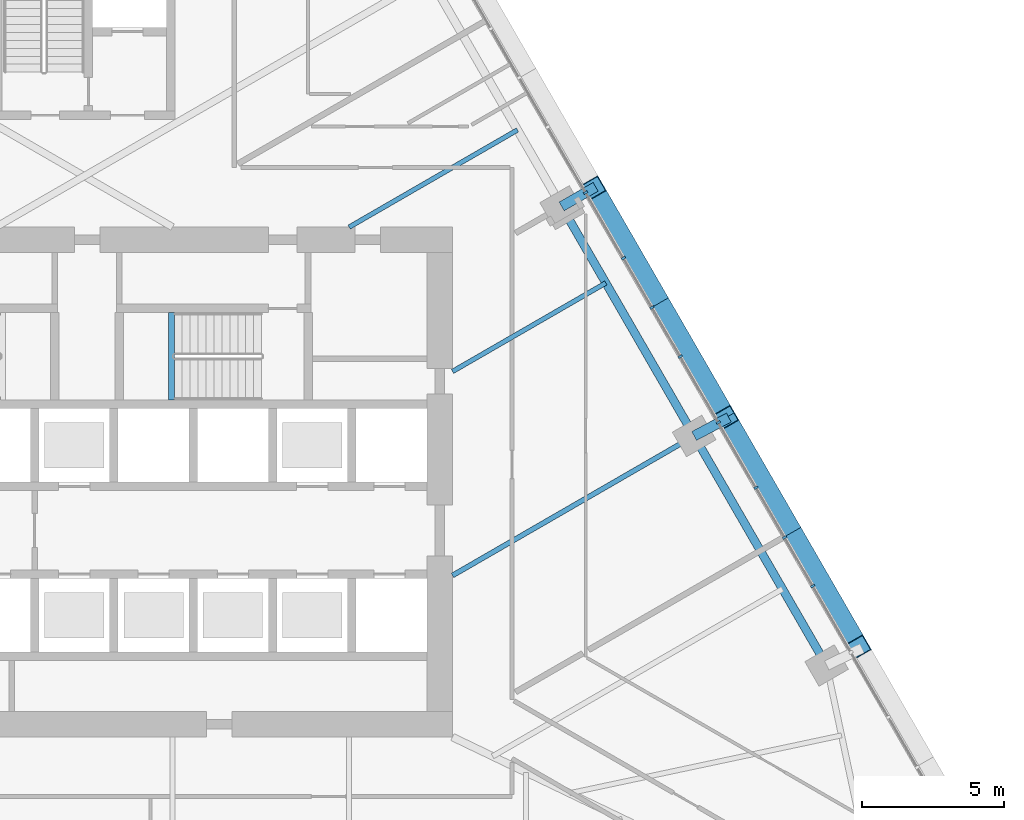
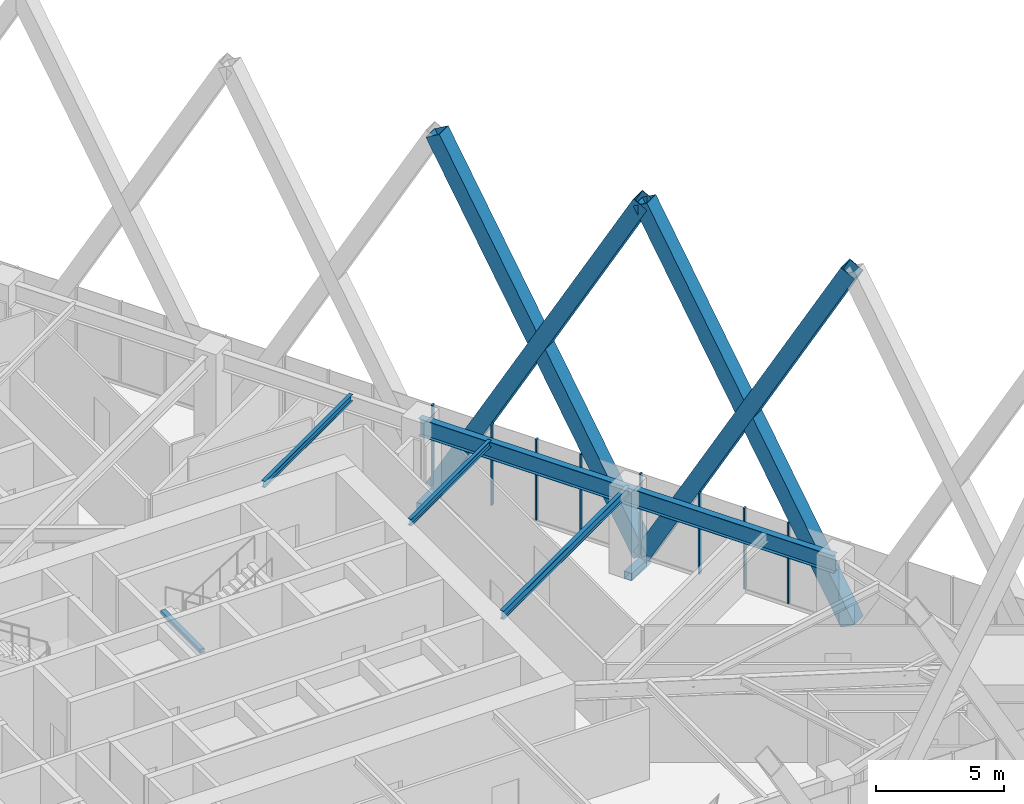
# One storey, part 8 of 21: 14 members, 5 beams, 1 element without a shape of its own.
"""IFC4 building model written with IfcOpenShell, lengths in metres."""

from ifc_helpers import new_model, si_unit, direction, frame, origin, origin_2d, place, context, subcontext, project, spatial, rectangle, hollow_rectangle, i_section, extrude, material, layer, layer_set, material_profile, profile_set, type_object, element, aggregate, save


model = new_model("IFC4")

# Units and contexts
model_context = context("Model", 3, precision=1e-05, world=origin(), true_north=direction((0.0, 1.0)))
body_context = subcontext(model_context, "Body", "Model", "MODEL_VIEW")
ifc_project = project(units=[si_unit("LENGTHUNIT", "METRE"), si_unit("AREAUNIT", "SQUARE_METRE"), si_unit("VOLUMEUNIT", "CUBIC_METRE"), si_unit("PLANEANGLEUNIT", "RADIAN"), si_unit("MASSUNIT", "GRAM", prefix="KILO")], contexts=[model_context])

# Site, building, storey
site_placement = place(None, origin())
site = spatial("IfcSite", under=ifc_project, at=site_placement, CompositionType="ELEMENT")
building_placement = place(site_placement, origin())
building = spatial("IfcBuilding", under=site, at=building_placement, Name="Firuza Gate Tower and Library", CompositionType="ELEMENT")
storey_placement = place(building_placement, frame((0.0, 0.0, 107.199951171875)))
storey = spatial("IfcBuildingStorey", under=building, at=storey_placement, Name="L24", CompositionType="ELEMENT", Elevation=107.199951171875)

# Members
ifc_material_1 = material(Name="Steel S355", Category="steel")
ifc_material_profile_1 = material_profile(ifc_material_1, hollow_rectangle(XDim=0.699951171875, YDim=0.699951171875, WallThickness=0.030029296875, at=origin_2d()))
ifc_profile_set_1 = profile_set([ifc_material_profile_1], Name="Steel S355")
member_type_1 = type_object("IfcMemberType", Name="BU700x700x30 Lattice brace", PredefinedType="BRACE", material=ifc_profile_set_1)
for number, where, z_axis, x_axis, name in (
    (1, (102.33203125, 69.177490234375, 0.0), (-0.243242058194, 0.421299612433, 0.873693274376), (-0.866021297244, -0.500007112669, 0.0), "Lattice brace E 5.2R"),
    (2, (97.65478515625, 77.278564453125, 0.0), (0.243242058194, -0.421299612433, 0.873693274376), (0.866021297244, 0.500007112669, 0.0), "Lattice brace E 5.2L"),
):
    element("IfcMember", number, at=place(storey_placement, frame(where, z_axis=z_axis, x_axis=x_axis)), inside=storey, type_object=member_type_1, Name=name, PredefinedType="BRACE", context=body_context, shape_type="SweptSolid", body=[
        extrude(hollow_rectangle(XDim=0.699951171875, YDim=0.699951171875, WallThickness=0.030029296875, at=origin_2d()), origin(), (0.0, 0.0, 1.0), 19.228759765625),
    ])
for number, where, z_axis, x_axis, name in (
    (3, (97.65478515625, 77.278564453125, 0.0), (-0.243231413783, 0.421290470362, 0.873700646063), (-0.866026073768, -0.499998839552, 0.0), "Lattice brace E 5.3R"),
    (4, (92.977783203125, 85.37939453125, 0.0), (0.243231413783, -0.421290470362, 0.873700646063), (0.866026073768, 0.499998839552, 0.0), "Lattice brace E 5.3L"),
):
    element("IfcMember", number, at=place(storey_placement, frame(where, z_axis=z_axis, x_axis=x_axis)), inside=storey, type_object=member_type_1, Name=name, PredefinedType="BRACE", context=body_context, shape_type="SweptSolid", body=[
        extrude(hollow_rectangle(XDim=0.699951171875, YDim=0.699951171875, WallThickness=0.030029296875, at=origin_2d()), origin(), (0.0, 0.0, 1.0), 19.228515625),
    ])

# Curtain wall, members
ifc_material_2 = material(Name="Aluminium 6063-T6", Category="aluminium")
ifc_layer = layer(ifc_material_2, 0.14990234375)
ifc_layer_set = layer_set([ifc_layer], Name="Unitised curtain wall, offices")
curtain_wall_type = type_object("IfcCurtainWallType", Name="Unitised curtain wall, offices", PredefinedType="NOTDEFINED", material=ifc_layer_set)
curtain_wall_placement = place(storey_placement, origin())
curtain_wall = element("IfcCurtainWall", 5, at=curtain_wall_placement, inside=storey, type_object=curtain_wall_type, Name="CW1 L24 E face", PredefinedType="NOTDEFINED")
ifc_material_3 = material(Name="Aluminium 6063-T6", Category="aluminium")
ifc_material_profile_2 = material_profile(ifc_material_3, rectangle(XDim=0.14990234375, YDim=0.080078125, at=origin_2d()))
ifc_profile_set_2 = profile_set([ifc_material_profile_2], Name="Aluminium 6063-T6")
member_type_2 = type_object("IfcMemberType", Name="Curtain wall mullion 80x150", PredefinedType="MULLION", material=ifc_profile_set_2)
member_1_placement = place(storey_placement, frame((99.72265625, 73.046630859375, 0.150146484375), z_axis=(0.0, 0.0, 1.0), x_axis=(-0.866025403784, -0.5, 0.0)))
member_1 = element("IfcMember", 6, at=member_1_placement, type_object=member_type_2, Name="Mullion", PredefinedType="MULLION", context=body_context, shape_type="SweptSolid", body=[
    extrude(rectangle(XDim=0.14990234375, YDim=0.080078125, at=origin_2d()), origin(), (0.0, 0.0, 1.0), 3.849853515625),
])
member_2_placement = place(storey_placement, frame((97.380615234375, 77.103515625, 0.150146484375), z_axis=(0.0, 0.0, 1.0), x_axis=(-0.866025403784, -0.5, 0.0)))
member_2 = element("IfcMember", 7, at=member_2_placement, type_object=member_type_2, Name="Mullion", PredefinedType="MULLION", context=body_context, shape_type="SweptSolid", body=[
    extrude(rectangle(XDim=0.14990234375, YDim=0.080078125, at=origin_2d()), origin(), (0.0, 0.0, 1.0), 3.849853515625),
])
member_3_placement = place(storey_placement, frame((95.038330078125, 81.16015625, 0.150146484375), z_axis=(0.0, 0.0, 1.0), x_axis=(-0.866025403784, -0.5, 0.0)))
member_3 = element("IfcMember", 8, at=member_3_placement, type_object=member_type_2, Name="Mullion", PredefinedType="MULLION", context=body_context, shape_type="SweptSolid", body=[
    extrude(rectangle(XDim=0.14990234375, YDim=0.080078125, at=origin_2d()), origin(), (0.0, 0.0, 1.0), 3.849853515625),
])
member_4_placement = place(storey_placement, frame((92.6962890625, 85.217041015625, 0.150146484375), z_axis=(0.0, 0.0, 1.0), x_axis=(-0.866025403784, -0.5, 0.0)))
member_4 = element("IfcMember", 9, at=member_4_placement, type_object=member_type_2, Name="Mullion", PredefinedType="MULLION", context=body_context, shape_type="SweptSolid", body=[
    extrude(rectangle(XDim=0.14990234375, YDim=0.080078125, at=origin_2d()), origin(), (0.0, 0.0, 1.0), 3.849853515625),
])
member_5_placement = place(storey_placement, frame((100.714111328125, 71.32958984375, 0.150146484375), z_axis=(0.0, 0.0, 1.0), x_axis=(-0.866025403784, -0.5, 0.0)))
member_5 = element("IfcMember", 10, at=member_5_placement, type_object=member_type_2, Name="Mullion", PredefinedType="MULLION", context=body_context, shape_type="SweptSolid", body=[
    extrude(rectangle(XDim=0.14990234375, YDim=0.080078125, at=origin_2d()), origin(), (0.0, 0.0, 1.0), 3.849853515625),
])
member_6_placement = place(storey_placement, frame((98.709716796875, 74.80126953125, 0.150146484375), z_axis=(0.0, 0.0, 1.0), x_axis=(-0.866025403784, -0.5, 0.0)))
member_6 = element("IfcMember", 11, at=member_6_placement, type_object=member_type_2, Name="Mullion", PredefinedType="MULLION", context=body_context, shape_type="SweptSolid", body=[
    extrude(rectangle(XDim=0.14990234375, YDim=0.080078125, at=origin_2d()), origin(), (0.0, 0.0, 1.0), 3.849853515625),
])
member_7_placement = place(storey_placement, frame((96.036865234375, 79.4306640625, 0.150146484375), z_axis=(0.0, 0.0, 1.0), x_axis=(-0.866025403784, -0.5, 0.0)))
member_7 = element("IfcMember", 12, at=member_7_placement, type_object=member_type_2, Name="Mullion", PredefinedType="MULLION", context=body_context, shape_type="SweptSolid", body=[
    extrude(rectangle(XDim=0.14990234375, YDim=0.080078125, at=origin_2d()), origin(), (0.0, 0.0, 1.0), 3.849853515625),
])
member_8_placement = place(storey_placement, frame((94.03271484375, 82.90234375, 0.150146484375), z_axis=(0.0, 0.0, 1.0), x_axis=(-0.866025403784, -0.5, 0.0)))
member_8 = element("IfcMember", 13, at=member_8_placement, type_object=member_type_2, Name="Mullion", PredefinedType="MULLION", context=body_context, shape_type="SweptSolid", body=[
    extrude(rectangle(XDim=0.14990234375, YDim=0.080078125, at=origin_2d()), origin(), (0.0, 0.0, 1.0), 3.849853515625),
])
aggregate(curtain_wall, [member_1, member_2, member_3, member_4, member_5, member_6, member_7, member_8])

# Members
ifc_material_4 = material(Name="Steel S355", Category="steel")
ifc_material_profile_3 = material_profile(ifc_material_4, hollow_rectangle(XDim=0.355712890625, YDim=0.355712890625, WallThickness=0.014892578125, at=origin_2d()))
ifc_profile_set_3 = profile_set([ifc_material_profile_3], Name="Steel S355")
member_type_3 = type_object("IfcMemberType", Name="HSS356x356x16 Lattice node tie", PredefinedType="BRACE", material=ifc_profile_set_3)
member_9_placement = place(storey_placement, frame((91.851806640625, 84.7294921875, -0.320068359375), z_axis=(0.866032975699, 0.499986884831, 0.0), x_axis=(-0.499986884831, 0.866032975699, 0.0)))
element("IfcMember", 14, at=member_9_placement, inside=storey, type_object=member_type_3, Name="Lattice node tie E L24 88", PredefinedType="BRACE", context=body_context, shape_type="SweptSolid", body=[
    extrude(hollow_rectangle(XDim=0.355712890625, YDim=0.355712890625, WallThickness=0.014892578125, at=origin_2d()), origin(), (0.0, 0.0, 1.0), 1.38525390625),
])
member_10_placement = place(storey_placement, frame((96.529052734375, 76.62841796875, -0.320068359375), z_axis=(0.883165886802, 0.469060781124, 0.0), x_axis=(-0.469060781124, 0.883165886802, 0.0)))
element("IfcMember", 15, at=member_10_placement, inside=storey, type_object=member_type_3, Name="Lattice node tie E L24 89", PredefinedType="BRACE", context=body_context, shape_type="SweptSolid", body=[
    extrude(hollow_rectangle(XDim=0.355712890625, YDim=0.355712890625, WallThickness=0.014892578125, at=origin_2d()), origin(), (0.0, 0.0, 1.0), 1.385986328125),
])

# Beams
ifc_material_5 = material(Name="Concrete C35/45", Category="concrete")
ifc_material_profile_4 = material_profile(ifc_material_5, rectangle(XDim=0.199951171875, YDim=0.199951171875, at=origin_2d()))
ifc_profile_set_4 = profile_set([ifc_material_profile_4], Name="Concrete C35/45")
beam_type_1 = type_object("IfcBeamType", Name="Stair landing bearer 200x200", PredefinedType="BEAM", material=ifc_profile_set_4)
beam_1_placement = place(storey_placement, frame((78.080078125, 80.97998046875, 1.800048828125), z_axis=(0.0, -1.0, 0.0), x_axis=(1.0, 0.0, 0.0)))
element("IfcBeam", 16, at=beam_1_placement, inside=storey, type_object=beam_type_1, Name="Landing bearer L24 stair 2", PredefinedType="BEAM", context=body_context, shape_type="SweptSolid", body=[
    extrude(rectangle(XDim=0.199951171875, YDim=0.199951171875, at=origin_2d()), origin(), (0.0, 0.0, 1.0), 3.080078125),
])
ifc_material_6 = material(Name="Steel S355", Category="steel")
ifc_material_profile_5 = material_profile(ifc_material_6, i_section(OverallWidth=0.1650390625, OverallDepth=0.31005859375, WebThickness=0.005859375, FlangeThickness=0.009765625, at=origin_2d()))
ifc_profile_set_5 = profile_set([ifc_material_profile_5], Name="Steel S355")
beam_type_2 = type_object("IfcBeamType", Name="W310x39 Floor beam", PredefinedType="JOIST", material=ifc_profile_set_5)
beam_2_placement = place(storey_placement, frame((93.410888671875, 82.029052734375, 3.844970703125), z_axis=(-0.866022256913, -0.500005450501, 0.0), x_axis=(0.500005450501, -0.866022256913, 0.0)))
element("IfcBeam", 17, at=beam_2_placement, inside=storey, type_object=beam_type_2, Name="Floor beam L24 s52", PredefinedType="JOIST", context=body_context, shape_type="SweptSolid", body=[
    extrude(i_section(OverallWidth=0.1650390625, OverallDepth=0.31005859375, WebThickness=0.005859375, FlangeThickness=0.009765625, at=origin_2d()), origin(), (0.0, 0.0, 1.0), 6.248046875),
])
beam_3_placement = place(storey_placement, frame((90.29296875, 87.4296875, 3.844970703125), z_axis=(-0.866035638285, -0.499982272906, 0.0), x_axis=(0.499982272906, -0.866035638285, 0.0)))
element("IfcBeam", 18, at=beam_3_placement, inside=storey, type_object=beam_type_2, Name="Floor beam L24 s53", PredefinedType="JOIST", context=body_context, shape_type="SweptSolid", body=[
    extrude(i_section(OverallWidth=0.1650390625, OverallDepth=0.31005859375, WebThickness=0.005859375, FlangeThickness=0.009765625, at=origin_2d()), origin(), (0.0, 0.0, 1.0), 6.859619140625),
])
ifc_material_7 = material(Name="Steel S355", Category="steel")
ifc_material_profile_6 = material_profile(ifc_material_7, i_section(OverallWidth=0.177978515625, OverallDepth=0.406982421875, WebThickness=0.0078125, FlangeThickness=0.0126953125, at=origin_2d()))
ifc_profile_set_6 = profile_set([ifc_material_profile_6], Name="Steel S355")
beam_type_3 = type_object("IfcBeamType", Name="W410x60 Floor beam", PredefinedType="JOIST", material=ifc_profile_set_6)
beam_4_placement = place(storey_placement, frame((96.529052734375, 76.62841796875, 3.796630859375), z_axis=(-0.866033257486, -0.499986396743, 0.0), x_axis=(0.499986396743, -0.866033257486, 0.0)))
element("IfcBeam", 19, at=beam_4_placement, inside=storey, type_object=beam_type_3, Name="Floor beam L24 s51", PredefinedType="JOIST", context=body_context, shape_type="SweptSolid", body=[
    extrude(i_section(OverallWidth=0.177978515625, OverallDepth=0.406982421875, WebThickness=0.0078125, FlangeThickness=0.0126953125, at=origin_2d()), origin(), (0.0, 0.0, 1.0), 9.848388671875),
])
ifc_material_8 = material(Name="Steel S355", Category="steel")
ifc_material_profile_7 = material_profile(ifc_material_8, i_section(OverallWidth=0.2919921875, OverallDepth=0.8349609375, WebThickness=0.013916015625, FlangeThickness=0.018798828125, at=origin_2d()))
ifc_profile_set_7 = profile_set([ifc_material_profile_7], Name="Steel S355")
beam_type_4 = type_object("IfcBeamType", Name="W840x176 Edge beam", PredefinedType="SPANDREL", material=ifc_profile_set_7)
beam_5_placement = place(storey_placement, frame((101.2060546875, 68.527587890625, 3.58251953125), z_axis=(-0.50000297619, 0.866023685473, 0.0), x_axis=(-0.866023685473, -0.50000297619, 0.0)))
element("IfcBeam", 20, at=beam_5_placement, inside=storey, type_object=beam_type_4, Name="Edge beam L24 e50", PredefinedType="SPANDREL", context=body_context, shape_type="SweptSolid", body=[
    extrude(i_section(OverallWidth=0.2919921875, OverallDepth=0.8349609375, WebThickness=0.013916015625, FlangeThickness=0.018798828125, at=origin_2d()), origin(), (0.0, 0.0, 1.0), 18.70849609375),
])

save(model, "model.ifc")
